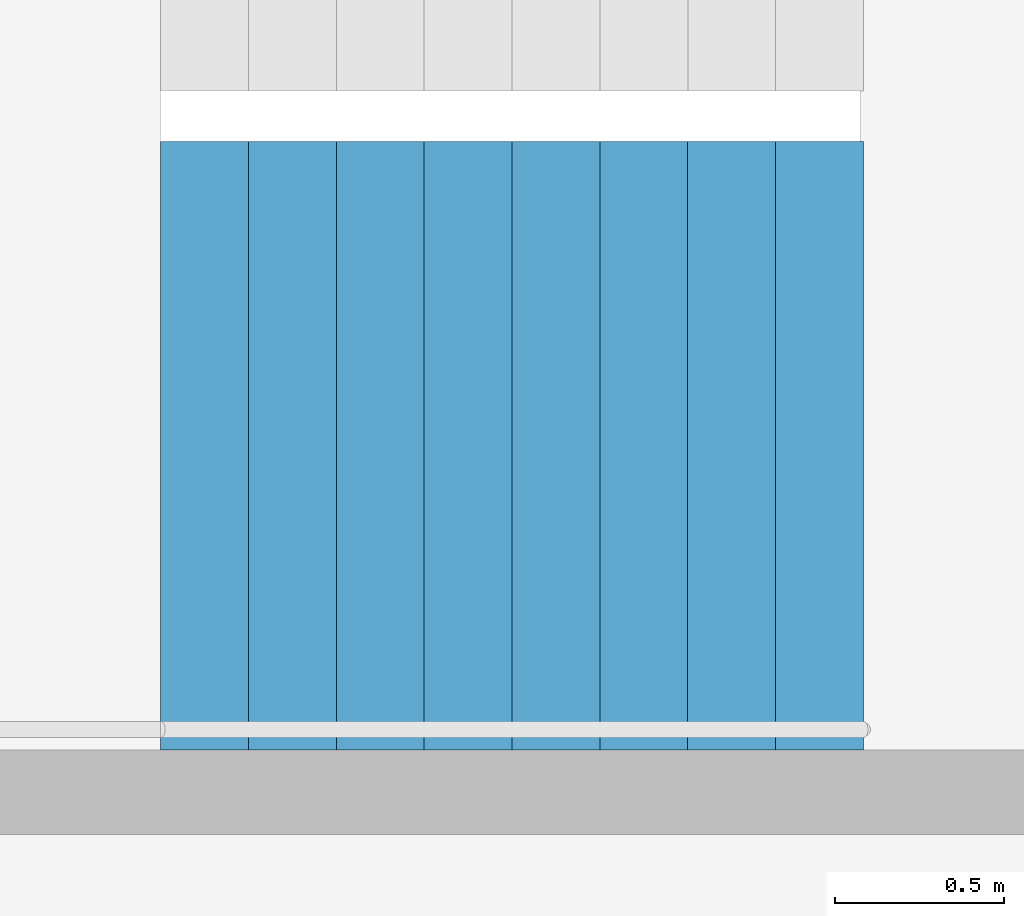
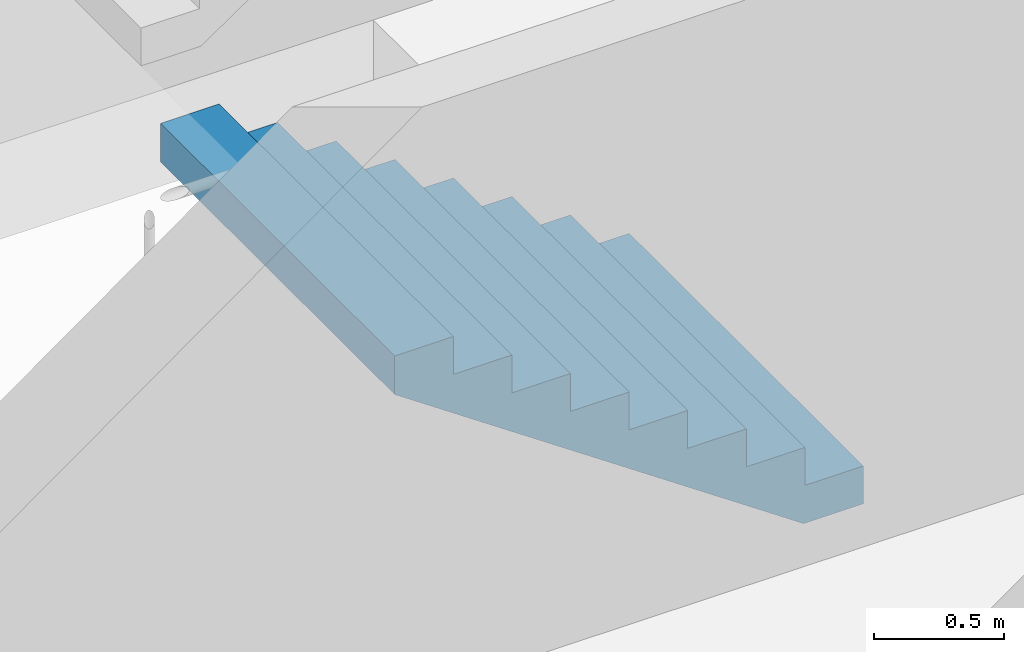
# One storey, part 23 of 30: 1 stair flight, 1 element without a shape of its own.
"""IFC4 building model written with IfcOpenShell, lengths in metres."""

from ifc_helpers import new_model, si_unit, direction, frame, origin, place, context, subcontext, project, spatial, triangles, material, type_object, element, aggregate, save


model = new_model("IFC4")

# Units and contexts
model_context = context("Model", 3, precision=1e-05, world=origin(), true_north=direction((0.0, 1.0)))
body_context = subcontext(model_context, "Body", "Model", "MODEL_VIEW")
ifc_project = project(units=[si_unit("LENGTHUNIT", "METRE"), si_unit("AREAUNIT", "SQUARE_METRE"), si_unit("VOLUMEUNIT", "CUBIC_METRE"), si_unit("PLANEANGLEUNIT", "RADIAN"), si_unit("MASSUNIT", "GRAM", prefix="KILO")], contexts=[model_context])

# Site, building, storey
site_placement = place(None, origin())
site = spatial("IfcSite", under=ifc_project, at=site_placement, CompositionType="ELEMENT")
building_placement = place(site_placement, origin())
building = spatial("IfcBuilding", under=site, at=building_placement, Name="Hakoniwa Tower and Hamabe Station Hall", CompositionType="ELEMENT")
storey_placement = place(building_placement, frame((0.0, 0.0, 137.39990234375)))
storey = spatial("IfcBuildingStorey", under=building, at=storey_placement, Name="L38", CompositionType="ELEMENT", Elevation=137.39990234375)

# Stair, stair flight
ifc_material_1 = material(Name="Concrete C40", Category="concrete")
stair_type = type_object("IfcStairType", Name="ESCAPE STAIR 1800", PredefinedType="HALF_TURN_STAIR", material=ifc_material_1)
stair_placement = place(storey_placement, origin())
stair = element("IfcStair", 1, at=stair_placement, inside=storey, type_object=stair_type, Name="Escape stair ST-3 L38", PredefinedType="HALF_TURN_STAIR")
ifc_material_2 = material(Name="Concrete C40", Category="concrete")
stair_flight_type = type_object("IfcStairFlightType", Name="STAIR FLIGHT 1800", PredefinedType="STRAIGHT", material=ifc_material_2)
stair_flight_placement = place(storey_placement, frame((24.39990234375, 4.64990234375, 0.0), z_axis=(0.0, 0.0, 1.0), x_axis=(-1.0, 0.0, 0.0)))
stair_flight = element("IfcStairFlight", 2, at=stair_flight_placement, type_object=stair_flight_type, Name="ST-3 flight 1", NumberOfRisers=9, NumberOfTreads=8, PredefinedType="STRAIGHT", RiserHeight=0.177777778, TreadLength=0.26, context=body_context, shape_type="Tessellation", body=[
    triangles([(0.0, 0.89990234375, 0.0), (0.260009765625, 0.89990234375, 0.0), (0.265625, 0.89990234375, 0.0), (0.52001953125, 0.89990234375, 0.174072265625), (0.780029296875, 0.89990234375, 0.351806640625), (1.0400390625, 0.89990234375, 0.529541015625), (1.300048828125, 0.89990234375, 0.707275390625), (1.56005859375, 0.89990234375, 0.885009765625), (1.820068359375, 0.89990234375, 1.062744140625), (2.080078125, 0.89990234375, 1.24072265625), (2.080078125, 0.89990234375, 1.422119140625), (1.820068359375, 0.89990234375, 1.422119140625), (1.820068359375, 0.89990234375, 1.244384765625), (1.56005859375, 0.89990234375, 1.244384765625), (1.56005859375, 0.89990234375, 1.066650390625), (1.300048828125, 0.89990234375, 1.066650390625), (1.300048828125, 0.89990234375, 0.888916015625), (1.0400390625, 0.89990234375, 0.888916015625), (1.0400390625, 0.89990234375, 0.711181640625), (0.780029296875, 0.89990234375, 0.711181640625), (0.780029296875, 0.89990234375, 0.533447265625), (0.52001953125, 0.89990234375, 0.533447265625), (0.52001953125, 0.89990234375, 0.35546875), (0.265625, 0.89990234375, 0.35546875), (0.260009765625, 0.89990234375, 0.35546875), (0.260009765625, 0.89990234375, 0.177734375), (0.0, 0.89990234375, 0.177734375), (0.0, 0.06005859375, 0.0), (0.260009765625, 0.06005859375, 0.0), (0.265625, 0.06005859375, 0.0), (0.52001953125, 0.06005859375, 0.174072265625), (0.780029296875, 0.06005859375, 0.351806640625), (1.0400390625, 0.06005859375, 0.529541015625), (1.300048828125, 0.06005859375, 0.707275390625), (1.56005859375, 0.06005859375, 0.885009765625), (1.820068359375, 0.06005859375, 1.062744140625), (2.080078125, 0.06005859375, 1.24072265625), (2.080078125, 0.06005859375, 1.422119140625), (1.820068359375, 0.06005859375, 1.422119140625), (1.820068359375, 0.06005859375, 1.244384765625), (1.56005859375, 0.06005859375, 1.244384765625), (1.56005859375, 0.06005859375, 1.066650390625), (1.300048828125, 0.06005859375, 1.066650390625), (1.300048828125, 0.06005859375, 0.888916015625), (1.0400390625, 0.06005859375, 0.888916015625), (1.0400390625, 0.06005859375, 0.711181640625), (0.780029296875, 0.06005859375, 0.711181640625), (0.780029296875, 0.06005859375, 0.533447265625), (0.52001953125, 0.06005859375, 0.533447265625), (0.52001953125, 0.06005859375, 0.35546875), (0.265625, 0.06005859375, 0.35546875), (0.260009765625, 0.06005859375, 0.35546875), (0.260009765625, 0.06005859375, 0.177734375), (0.0, 0.06005859375, 0.177734375), (0.0, 0.04296875, 0.0), (0.260009765625, 0.04296875, 0.0), (0.265625, 0.04296875, 0.0), (0.52001953125, 0.04296875, 0.174072265625), (0.780029296875, 0.04296875, 0.351806640625), (1.0400390625, 0.04296875, 0.529541015625), (1.300048828125, 0.04296875, 0.707275390625), (1.56005859375, 0.04296875, 0.885009765625), (1.820068359375, 0.04296875, 1.062744140625), (2.080078125, 0.04296875, 1.24072265625), (2.080078125, 0.04296875, 1.422119140625), (1.820068359375, 0.04296875, 1.422119140625), (1.820068359375, 0.04296875, 1.244384765625), (1.56005859375, 0.04296875, 1.244384765625), (1.56005859375, 0.04296875, 1.066650390625), (1.300048828125, 0.04296875, 1.066650390625), (1.300048828125, 0.04296875, 0.888916015625), (1.0400390625, 0.04296875, 0.888916015625), (1.0400390625, 0.04296875, 0.711181640625), (0.780029296875, 0.04296875, 0.711181640625), (0.780029296875, 0.04296875, 0.533447265625), (0.52001953125, 0.04296875, 0.533447265625), (0.52001953125, 0.04296875, 0.35546875), (0.265625, 0.04296875, 0.35546875), (0.260009765625, 0.04296875, 0.35546875), (0.260009765625, 0.04296875, 0.177734375), (0.0, 0.04296875, 0.177734375), (0.0, 0.025634765625, 0.0), (0.260009765625, 0.025634765625, 0.0), (0.265625, 0.025634765625, 0.0), (0.52001953125, 0.025634765625, 0.174072265625), (0.780029296875, 0.025634765625, 0.351806640625), (1.0400390625, 0.025634765625, 0.529541015625), (1.300048828125, 0.025634765625, 0.707275390625), (1.56005859375, 0.025634765625, 0.885009765625), (1.820068359375, 0.025634765625, 1.062744140625), (2.080078125, 0.025634765625, 1.24072265625), (2.080078125, 0.025634765625, 1.422119140625), (1.820068359375, 0.025634765625, 1.422119140625), (1.820068359375, 0.025634765625, 1.244384765625), (1.56005859375, 0.025634765625, 1.244384765625), (1.56005859375, 0.025634765625, 1.066650390625), (1.300048828125, 0.025634765625, 1.066650390625), (1.300048828125, 0.025634765625, 0.888916015625), (1.0400390625, 0.025634765625, 0.888916015625), (1.0400390625, 0.025634765625, 0.711181640625), (0.780029296875, 0.025634765625, 0.711181640625), (0.780029296875, 0.025634765625, 0.533447265625), (0.52001953125, 0.025634765625, 0.533447265625), (0.52001953125, 0.025634765625, 0.35546875), (0.265625, 0.025634765625, 0.35546875), (0.260009765625, 0.025634765625, 0.35546875), (0.260009765625, 0.025634765625, 0.177734375), (0.0, 0.025634765625, 0.177734375), (0.0, 0.008544921875, 0.0), (0.260009765625, 0.008544921875, 0.0), (0.265625, 0.008544921875, 0.0), (0.52001953125, 0.008544921875, 0.174072265625), (0.780029296875, 0.008544921875, 0.351806640625), (1.0400390625, 0.008544921875, 0.529541015625), (1.300048828125, 0.008544921875, 0.707275390625), (1.56005859375, 0.008544921875, 0.885009765625), (1.820068359375, 0.008544921875, 1.062744140625), (2.080078125, 0.008544921875, 1.24072265625), (2.080078125, 0.008544921875, 1.422119140625), (1.820068359375, 0.008544921875, 1.422119140625), (1.820068359375, 0.008544921875, 1.244384765625), (1.56005859375, 0.008544921875, 1.244384765625), (1.56005859375, 0.008544921875, 1.066650390625), (1.300048828125, 0.008544921875, 1.066650390625), (1.300048828125, 0.008544921875, 0.888916015625), (1.0400390625, 0.008544921875, 0.888916015625), (1.0400390625, 0.008544921875, 0.711181640625), (0.780029296875, 0.008544921875, 0.711181640625), (0.780029296875, 0.008544921875, 0.533447265625), (0.52001953125, 0.008544921875, 0.533447265625), (0.52001953125, 0.008544921875, 0.35546875), (0.265625, 0.008544921875, 0.35546875), (0.260009765625, 0.008544921875, 0.35546875), (0.260009765625, 0.008544921875, 0.177734375), (0.0, 0.008544921875, 0.177734375), (0.0, -0.008544921875, 0.0), (0.260009765625, -0.008544921875, 0.0), (0.265625, -0.008544921875, 0.0), (0.52001953125, -0.008544921875, 0.174072265625), (0.780029296875, -0.008544921875, 0.351806640625), (1.0400390625, -0.008544921875, 0.529541015625), (1.300048828125, -0.008544921875, 0.707275390625), (1.56005859375, -0.008544921875, 0.885009765625), (1.820068359375, -0.008544921875, 1.062744140625), (2.080078125, -0.008544921875, 1.24072265625), (2.080078125, -0.008544921875, 1.422119140625), (1.820068359375, -0.008544921875, 1.422119140625), (1.820068359375, -0.008544921875, 1.244384765625), (1.56005859375, -0.008544921875, 1.244384765625), (1.56005859375, -0.008544921875, 1.066650390625), (1.300048828125, -0.008544921875, 1.066650390625), (1.300048828125, -0.008544921875, 0.888916015625), (1.0400390625, -0.008544921875, 0.888916015625), (1.0400390625, -0.008544921875, 0.711181640625), (0.780029296875, -0.008544921875, 0.711181640625), (0.780029296875, -0.008544921875, 0.533447265625), (0.52001953125, -0.008544921875, 0.533447265625), (0.52001953125, -0.008544921875, 0.35546875), (0.265625, -0.008544921875, 0.35546875), (0.260009765625, -0.008544921875, 0.35546875), (0.260009765625, -0.008544921875, 0.177734375), (0.0, -0.008544921875, 0.177734375), (0.0, -0.025634765625, 0.0), (0.260009765625, -0.025634765625, 0.0), (0.265625, -0.025634765625, 0.0), (0.52001953125, -0.025634765625, 0.174072265625), (0.780029296875, -0.025634765625, 0.351806640625), (1.0400390625, -0.025634765625, 0.529541015625), (1.300048828125, -0.025634765625, 0.707275390625), (1.56005859375, -0.025634765625, 0.885009765625), (1.820068359375, -0.025634765625, 1.062744140625), (2.080078125, -0.025634765625, 1.24072265625), (2.080078125, -0.025634765625, 1.422119140625), (1.820068359375, -0.025634765625, 1.422119140625), (1.820068359375, -0.025634765625, 1.244384765625), (1.56005859375, -0.025634765625, 1.244384765625), (1.56005859375, -0.025634765625, 1.066650390625), (1.300048828125, -0.025634765625, 1.066650390625), (1.300048828125, -0.025634765625, 0.888916015625), (1.0400390625, -0.025634765625, 0.888916015625), (1.0400390625, -0.025634765625, 0.711181640625), (0.780029296875, -0.025634765625, 0.711181640625), (0.780029296875, -0.025634765625, 0.533447265625), (0.52001953125, -0.025634765625, 0.533447265625), (0.52001953125, -0.025634765625, 0.35546875), (0.265625, -0.025634765625, 0.35546875), (0.260009765625, -0.025634765625, 0.35546875), (0.260009765625, -0.025634765625, 0.177734375), (0.0, -0.025634765625, 0.177734375), (0.0, -0.04296875, 0.0), (0.260009765625, -0.04296875, 0.0), (0.265625, -0.04296875, 0.0), (0.52001953125, -0.04296875, 0.174072265625), (0.780029296875, -0.04296875, 0.351806640625), (1.0400390625, -0.04296875, 0.529541015625), (1.300048828125, -0.04296875, 0.707275390625), (1.56005859375, -0.04296875, 0.885009765625), (1.820068359375, -0.04296875, 1.062744140625), (2.080078125, -0.04296875, 1.24072265625), (2.080078125, -0.04296875, 1.422119140625), (1.820068359375, -0.04296875, 1.422119140625), (1.820068359375, -0.04296875, 1.244384765625), (1.56005859375, -0.04296875, 1.244384765625), (1.56005859375, -0.04296875, 1.066650390625), (1.300048828125, -0.04296875, 1.066650390625), (1.300048828125, -0.04296875, 0.888916015625), (1.0400390625, -0.04296875, 0.888916015625), (1.0400390625, -0.04296875, 0.711181640625), (0.780029296875, -0.04296875, 0.711181640625), (0.780029296875, -0.04296875, 0.533447265625), (0.52001953125, -0.04296875, 0.533447265625), (0.52001953125, -0.04296875, 0.35546875), (0.265625, -0.04296875, 0.35546875), (0.260009765625, -0.04296875, 0.35546875), (0.260009765625, -0.04296875, 0.177734375), (0.0, -0.04296875, 0.177734375), (0.0, -0.06005859375, 0.0), (0.260009765625, -0.06005859375, 0.0), (0.265625, -0.06005859375, 0.0), (0.52001953125, -0.06005859375, 0.174072265625), (0.780029296875, -0.06005859375, 0.351806640625), (1.0400390625, -0.06005859375, 0.529541015625), (1.300048828125, -0.06005859375, 0.707275390625), (1.56005859375, -0.06005859375, 0.885009765625), (1.820068359375, -0.06005859375, 1.062744140625), (2.080078125, -0.06005859375, 1.24072265625), (2.080078125, -0.06005859375, 1.422119140625), (1.820068359375, -0.06005859375, 1.422119140625), (1.820068359375, -0.06005859375, 1.244384765625), (1.56005859375, -0.06005859375, 1.244384765625), (1.56005859375, -0.06005859375, 1.066650390625), (1.300048828125, -0.06005859375, 1.066650390625), (1.300048828125, -0.06005859375, 0.888916015625), (1.0400390625, -0.06005859375, 0.888916015625), (1.0400390625, -0.06005859375, 0.711181640625), (0.780029296875, -0.06005859375, 0.711181640625), (0.780029296875, -0.06005859375, 0.533447265625), (0.52001953125, -0.06005859375, 0.533447265625), (0.52001953125, -0.06005859375, 0.35546875), (0.265625, -0.06005859375, 0.35546875), (0.260009765625, -0.06005859375, 0.35546875), (0.260009765625, -0.06005859375, 0.177734375), (0.0, -0.06005859375, 0.177734375), (0.0, -0.89990234375, 0.0), (0.260009765625, -0.89990234375, 0.0), (0.265625, -0.89990234375, 0.0), (0.52001953125, -0.89990234375, 0.174072265625), (0.780029296875, -0.89990234375, 0.351806640625), (1.0400390625, -0.89990234375, 0.529541015625), (1.300048828125, -0.89990234375, 0.707275390625), (1.56005859375, -0.89990234375, 0.885009765625), (1.820068359375, -0.89990234375, 1.062744140625), (2.080078125, -0.89990234375, 1.24072265625), (2.080078125, -0.89990234375, 1.422119140625), (1.820068359375, -0.89990234375, 1.422119140625), (1.820068359375, -0.89990234375, 1.244384765625), (1.56005859375, -0.89990234375, 1.244384765625), (1.56005859375, -0.89990234375, 1.066650390625), (1.300048828125, -0.89990234375, 1.066650390625), (1.300048828125, -0.89990234375, 0.888916015625), (1.0400390625, -0.89990234375, 0.888916015625), (1.0400390625, -0.89990234375, 0.711181640625), (0.780029296875, -0.89990234375, 0.711181640625), (0.780029296875, -0.89990234375, 0.533447265625), (0.52001953125, -0.89990234375, 0.533447265625), (0.52001953125, -0.89990234375, 0.35546875), (0.265625, -0.89990234375, 0.35546875), (0.260009765625, -0.89990234375, 0.35546875), (0.260009765625, -0.89990234375, 0.177734375), (0.0, -0.89990234375, 0.177734375)], [[2, 27, 26], [245, 269, 270], [2, 1, 27], [245, 270, 244], [3, 25, 24], [246, 267, 268], [3, 26, 25], [246, 268, 269], [3, 2, 26], [246, 269, 245], [4, 24, 23], [247, 266, 267], [4, 3, 24], [247, 267, 246], [5, 22, 21], [248, 264, 265], [5, 23, 22], [248, 265, 266], [5, 4, 23], [248, 266, 247], [6, 20, 19], [249, 262, 263], [6, 21, 20], [249, 263, 264], [6, 5, 21], [249, 264, 248], [7, 18, 17], [250, 260, 261], [7, 19, 18], [250, 261, 262], [7, 6, 19], [250, 262, 249], [8, 16, 15], [251, 258, 259], [8, 17, 16], [251, 259, 260], [8, 7, 17], [251, 260, 250], [9, 14, 13], [252, 256, 257], [9, 15, 14], [252, 257, 258], [9, 8, 15], [252, 258, 251], [10, 12, 11], [253, 254, 255], [10, 13, 12], [253, 255, 256], [10, 9, 13], [253, 256, 252], [1, 2, 29], [1, 29, 28], [28, 29, 56], [28, 56, 55], [55, 56, 83], [55, 83, 82], [82, 83, 110], [82, 110, 109], [109, 110, 137], [109, 137, 136], [136, 137, 164], [136, 164, 163], [163, 164, 191], [163, 191, 190], [190, 191, 218], [190, 218, 217], [217, 218, 245], [217, 245, 244], [2, 3, 30], [2, 30, 29], [29, 30, 57], [29, 57, 56], [56, 57, 84], [56, 84, 83], [83, 84, 111], [83, 111, 110], [110, 111, 138], [110, 138, 137], [137, 138, 165], [137, 165, 164], [164, 165, 192], [164, 192, 191], [191, 192, 219], [191, 219, 218], [218, 219, 246], [218, 246, 245], [3, 4, 31], [3, 31, 30], [30, 31, 58], [30, 58, 57], [57, 58, 85], [57, 85, 84], [84, 85, 112], [84, 112, 111], [111, 112, 139], [111, 139, 138], [138, 139, 166], [138, 166, 165], [165, 166, 193], [165, 193, 192], [192, 193, 220], [192, 220, 219], [219, 220, 247], [219, 247, 246], [4, 5, 32], [4, 32, 31], [31, 32, 59], [31, 59, 58], [58, 59, 86], [58, 86, 85], [85, 86, 113], [85, 113, 112], [112, 113, 140], [112, 140, 139], [139, 140, 167], [139, 167, 166], [166, 167, 194], [166, 194, 193], [193, 194, 221], [193, 221, 220], [220, 221, 248], [220, 248, 247], [5, 6, 33], [5, 33, 32], [32, 33, 60], [32, 60, 59], [59, 60, 87], [59, 87, 86], [86, 87, 114], [86, 114, 113], [113, 114, 141], [113, 141, 140], [140, 141, 168], [140, 168, 167], [167, 168, 195], [167, 195, 194], [194, 195, 222], [194, 222, 221], [221, 222, 249], [221, 249, 248], [6, 7, 34], [6, 34, 33], [33, 34, 61], [33, 61, 60], [60, 61, 88], [60, 88, 87], [87, 88, 115], [87, 115, 114], [114, 115, 142], [114, 142, 141], [141, 142, 169], [141, 169, 168], [168, 169, 196], [168, 196, 195], [195, 196, 223], [195, 223, 222], [222, 223, 250], [222, 250, 249], [7, 8, 35], [7, 35, 34], [34, 35, 62], [34, 62, 61], [61, 62, 89], [61, 89, 88], [88, 89, 116], [88, 116, 115], [115, 116, 143], [115, 143, 142], [142, 143, 170], [142, 170, 169], [169, 170, 197], [169, 197, 196], [196, 197, 224], [196, 224, 223], [223, 224, 251], [223, 251, 250], [8, 9, 36], [8, 36, 35], [35, 36, 63], [35, 63, 62], [62, 63, 90], [62, 90, 89], [89, 90, 117], [89, 117, 116], [116, 117, 144], [116, 144, 143], [143, 144, 171], [143, 171, 170], [170, 171, 198], [170, 198, 197], [197, 198, 225], [197, 225, 224], [224, 225, 252], [224, 252, 251], [9, 10, 37], [9, 37, 36], [36, 37, 64], [36, 64, 63], [63, 64, 91], [63, 91, 90], [90, 91, 118], [90, 118, 117], [117, 118, 145], [117, 145, 144], [144, 145, 172], [144, 172, 171], [171, 172, 199], [171, 199, 198], [198, 199, 226], [198, 226, 225], [225, 226, 253], [225, 253, 252], [10, 11, 38], [10, 38, 37], [37, 38, 65], [37, 65, 64], [64, 65, 92], [64, 92, 91], [91, 92, 119], [91, 119, 118], [118, 119, 146], [118, 146, 145], [145, 146, 173], [145, 173, 172], [172, 173, 200], [172, 200, 199], [199, 200, 227], [199, 227, 226], [226, 227, 254], [226, 254, 253], [11, 12, 39], [11, 39, 38], [38, 39, 66], [38, 66, 65], [65, 66, 93], [65, 93, 92], [92, 93, 120], [92, 120, 119], [119, 120, 147], [119, 147, 146], [146, 147, 174], [146, 174, 173], [173, 174, 201], [173, 201, 200], [200, 201, 228], [200, 228, 227], [227, 228, 255], [227, 255, 254], [12, 13, 40], [12, 40, 39], [39, 40, 67], [39, 67, 66], [66, 67, 94], [66, 94, 93], [93, 94, 121], [93, 121, 120], [120, 121, 148], [120, 148, 147], [147, 148, 175], [147, 175, 174], [174, 175, 202], [174, 202, 201], [201, 202, 229], [201, 229, 228], [228, 229, 256], [228, 256, 255], [13, 14, 41], [13, 41, 40], [40, 41, 68], [40, 68, 67], [67, 68, 95], [67, 95, 94], [94, 95, 122], [94, 122, 121], [121, 122, 149], [121, 149, 148], [148, 149, 176], [148, 176, 175], [175, 176, 203], [175, 203, 202], [202, 203, 230], [202, 230, 229], [229, 230, 257], [229, 257, 256], [14, 15, 42], [14, 42, 41], [41, 42, 69], [41, 69, 68], [68, 69, 96], [68, 96, 95], [95, 96, 123], [95, 123, 122], [122, 123, 150], [122, 150, 149], [149, 150, 177], [149, 177, 176], [176, 177, 204], [176, 204, 203], [203, 204, 231], [203, 231, 230], [230, 231, 258], [230, 258, 257], [15, 16, 43], [15, 43, 42], [42, 43, 70], [42, 70, 69], [69, 70, 97], [69, 97, 96], [96, 97, 124], [96, 124, 123], [123, 124, 151], [123, 151, 150], [150, 151, 178], [150, 178, 177], [177, 178, 205], [177, 205, 204], [204, 205, 232], [204, 232, 231], [231, 232, 259], [231, 259, 258], [16, 17, 44], [16, 44, 43], [43, 44, 71], [43, 71, 70], [70, 71, 98], [70, 98, 97], [97, 98, 125], [97, 125, 124], [124, 125, 152], [124, 152, 151], [151, 152, 179], [151, 179, 178], [178, 179, 206], [178, 206, 205], [205, 206, 233], [205, 233, 232], [232, 233, 260], [232, 260, 259], [17, 18, 45], [17, 45, 44], [44, 45, 72], [44, 72, 71], [71, 72, 99], [71, 99, 98], [98, 99, 126], [98, 126, 125], [125, 126, 153], [125, 153, 152], [152, 153, 180], [152, 180, 179], [179, 180, 207], [179, 207, 206], [206, 207, 234], [206, 234, 233], [233, 234, 261], [233, 261, 260], [18, 19, 46], [18, 46, 45], [45, 46, 73], [45, 73, 72], [72, 73, 100], [72, 100, 99], [99, 100, 127], [99, 127, 126], [126, 127, 154], [126, 154, 153], [153, 154, 181], [153, 181, 180], [180, 181, 208], [180, 208, 207], [207, 208, 235], [207, 235, 234], [234, 235, 262], [234, 262, 261], [19, 20, 47], [19, 47, 46], [46, 47, 74], [46, 74, 73], [73, 74, 101], [73, 101, 100], [100, 101, 128], [100, 128, 127], [127, 128, 155], [127, 155, 154], [154, 155, 182], [154, 182, 181], [181, 182, 209], [181, 209, 208], [208, 209, 236], [208, 236, 235], [235, 236, 263], [235, 263, 262], [20, 21, 48], [20, 48, 47], [47, 48, 75], [47, 75, 74], [74, 75, 102], [74, 102, 101], [101, 102, 129], [101, 129, 128], [128, 129, 156], [128, 156, 155], [155, 156, 183], [155, 183, 182], [182, 183, 210], [182, 210, 209], [209, 210, 237], [209, 237, 236], [236, 237, 264], [236, 264, 263], [21, 22, 49], [21, 49, 48], [48, 49, 76], [48, 76, 75], [75, 76, 103], [75, 103, 102], [102, 103, 130], [102, 130, 129], [129, 130, 157], [129, 157, 156], [156, 157, 184], [156, 184, 183], [183, 184, 211], [183, 211, 210], [210, 211, 238], [210, 238, 237], [237, 238, 265], [237, 265, 264], [22, 23, 50], [22, 50, 49], [49, 50, 77], [49, 77, 76], [76, 77, 104], [76, 104, 103], [103, 104, 131], [103, 131, 130], [130, 131, 158], [130, 158, 157], [157, 158, 185], [157, 185, 184], [184, 185, 212], [184, 212, 211], [211, 212, 239], [211, 239, 238], [238, 239, 266], [238, 266, 265], [23, 24, 51], [23, 51, 50], [50, 51, 78], [50, 78, 77], [77, 78, 105], [77, 105, 104], [104, 105, 132], [104, 132, 131], [131, 132, 159], [131, 159, 158], [158, 159, 186], [158, 186, 185], [185, 186, 213], [185, 213, 212], [212, 213, 240], [212, 240, 239], [239, 240, 267], [239, 267, 266], [24, 25, 52], [24, 52, 51], [51, 52, 79], [51, 79, 78], [78, 79, 106], [78, 106, 105], [105, 106, 133], [105, 133, 132], [132, 133, 160], [132, 160, 159], [159, 160, 187], [159, 187, 186], [186, 187, 214], [186, 214, 213], [213, 214, 241], [213, 241, 240], [240, 241, 268], [240, 268, 267], [25, 26, 53], [25, 53, 52], [52, 53, 80], [52, 80, 79], [79, 80, 107], [79, 107, 106], [106, 107, 134], [106, 134, 133], [133, 134, 161], [133, 161, 160], [160, 161, 188], [160, 188, 187], [187, 188, 215], [187, 215, 214], [214, 215, 242], [214, 242, 241], [241, 242, 269], [241, 269, 268], [26, 27, 54], [26, 54, 53], [53, 54, 81], [53, 81, 80], [80, 81, 108], [80, 108, 107], [107, 108, 135], [107, 135, 134], [134, 135, 162], [134, 162, 161], [161, 162, 189], [161, 189, 188], [188, 189, 216], [188, 216, 215], [215, 216, 243], [215, 243, 242], [242, 243, 270], [242, 270, 269], [27, 1, 28], [27, 28, 54], [54, 28, 55], [54, 55, 81], [81, 55, 82], [81, 82, 108], [108, 82, 109], [108, 109, 135], [135, 109, 136], [135, 136, 162], [162, 136, 163], [162, 163, 189], [189, 163, 190], [189, 190, 216], [216, 190, 217], [216, 217, 243], [243, 217, 244], [243, 244, 270]], closed=True),
])
aggregate(stair, [stair_flight])

save(model, "model.ifc")
